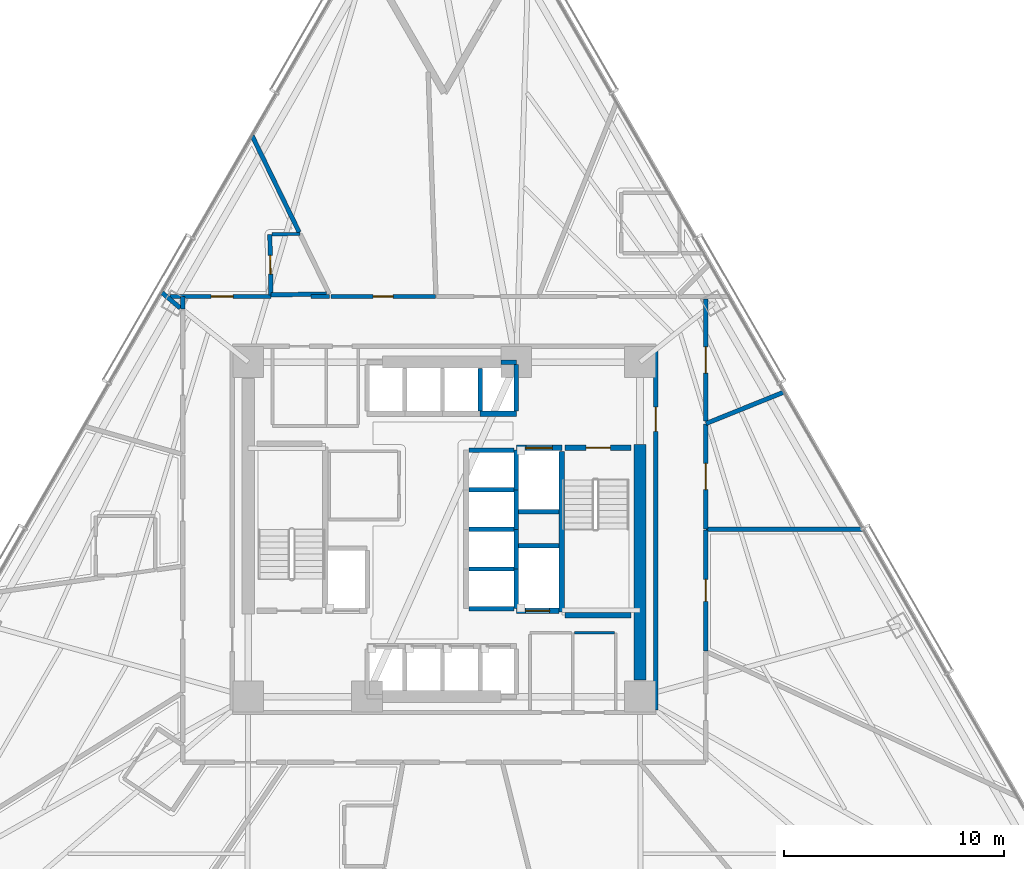
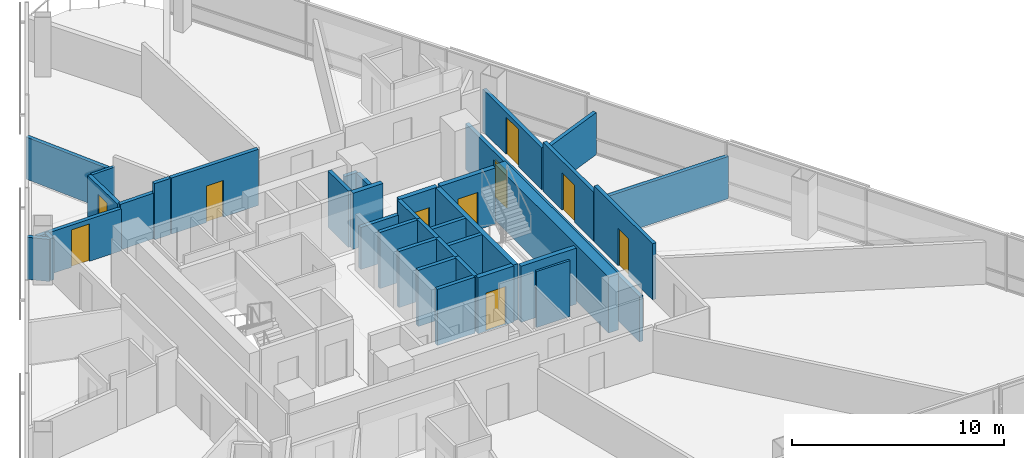
# One storey, part 9 of 16: 37 walls, 10 doors, 10 openings.
"""IFC4 building model written with IfcOpenShell, lengths in metres."""

from ifc_helpers import new_model, si_unit, direction, frame, frame_2d, origin, place, context, subcontext, project, spatial, rectangle, extrude, material, layer, layer_set, type_object, element, fill, save


model = new_model("IFC4")

# Units and contexts
model_context = context("Model", 3, precision=1e-05, world=origin(), true_north=direction((0.0, 1.0)))
body_context = subcontext(model_context, "Body", "Model", "MODEL_VIEW")
ifc_project = project(units=[si_unit("LENGTHUNIT", "METRE"), si_unit("AREAUNIT", "SQUARE_METRE"), si_unit("VOLUMEUNIT", "CUBIC_METRE"), si_unit("PLANEANGLEUNIT", "RADIAN"), si_unit("MASSUNIT", "GRAM", prefix="KILO")], contexts=[model_context])

# Site, building, storey
site_placement = place(None, origin())
site = spatial("IfcSite", under=ifc_project, at=site_placement, CompositionType="ELEMENT")
building_placement = place(site_placement, origin())
building = spatial("IfcBuilding", under=site, at=building_placement, Name="Tharavind Bronze Gate", CompositionType="ELEMENT")
storey_placement = place(building_placement, frame((0.0, 0.0, 42.050048828125)))
storey = spatial("IfcBuildingStorey", under=building, at=storey_placement, Name="L09", CompositionType="ELEMENT", Elevation=42.050048828125)

# Wall, opening, door
ifc_material_1 = material(Name="Aerated Concrete Block", Category="concrete")
ifc_layer_1 = layer(ifc_material_1, 0.199951171875)
ifc_layer_set_1 = layer_set([ifc_layer_1], Name="Aerated Concrete Block")
wall_type_1 = type_object("IfcWallType", Name="FIRE RATED PARTITION 200", PredefinedType="PARTITIONING", material=ifc_layer_set_1)
wall_1_placement = place(storey_placement, frame((9.6201171875, -8.199951171875, 0.0), z_axis=(0.0, 0.0, 1.0), x_axis=(0.0, 1.0, 0.0)))
wall_1 = element("IfcWall", 1, at=wall_1_placement, inside=storey, type_object=wall_type_1, Name="L09 east core corridor wall", PredefinedType="PARTITIONING", context=body_context, shape_type="SweptSolid", body=[
    extrude(rectangle(XDim=16.39990234375, YDim=0.199951171875, at=frame_2d((8.199951171875, 0.0))), origin(), (0.0, 0.0, 1.0), 2.619873046875),
])
opening_1_placement = place(wall_1_placement, frame((12.64990234375, 0.0, 0.0)))
opening_1 = element("IfcOpeningElement", 2, at=opening_1_placement, cuts=wall_1, Name="Opening ID01", PredefinedType="OPENING", context=body_context, shape_type="SweptSolid", body=[
    extrude(rectangle(XDim=1.10009765625, YDim=2.14990234375, at=frame_2d((0.550048828125, 1.074951171875))), frame((0.0, 0.11009765625, 0.0), z_axis=(0.0, -1.0, 0.0), x_axis=(1.0, 0.0, 0.0)), (0.0, 0.0, 1.0), 0.219951171875),
])
ifc_material_2 = material(Name="Fire-Rated Steel", Category="steel")
door_type_1 = type_object("IfcDoorType", Name="STAIR CORE FIRE DOOR 1100X2150", OperationType="SINGLE_SWING_LEFT", PredefinedType="DOOR", material=ifc_material_2)
door_1_placement = place(opening_1_placement, frame((1.10009765625, 0.0, 0.0), z_axis=(0.0, 0.0, 1.0), x_axis=(-1.0, 0.0, 0.0)))
door_1 = element("IfcDoor", 3, at=door_1_placement, inside=storey, type_object=door_type_1, Name="L09 north east stair lobby fire door", OperationType="SINGLE_SWING_LEFT", OverallHeight=2.14990234375, OverallWidth=1.10009765625, PredefinedType="DOOR", context=body_context, shape_type="SweptSolid", body=[
    extrude(rectangle(XDim=1.10009765625, YDim=2.14990234375, at=frame_2d((0.550048828125, 1.074951171875))), frame((0.0, 0.02490234375, 0.0), z_axis=(0.0, -1.0, 0.0), x_axis=(1.0, 0.0, 0.0)), (0.0, 0.0, 1.0), 0.050048828125),
])
fill(opening_1, door_1)

wall_2_placement = place(storey_placement, frame((-7.868408203125, 10.65234375, 0.0), z_axis=(0.0, 0.0, 1.0), x_axis=(-0.018022289986, 0.999837585343, 0.0)))
wall_2 = element("IfcWall", 4, at=wall_2_placement, inside=storey, type_object=wall_type_1, Name="L09 En-Suite Bathroom partition", PredefinedType="PARTITIONING", context=body_context, shape_type="SweptSolid", body=[
    extrude(rectangle(XDim=2.75, YDim=0.199951171875, at=frame_2d((1.375, 0.0))), origin(), (0.0, 0.0, 1.0), 2.619873046875),
])
opening_2_placement = place(wall_2_placement, frame((0.949951171875, 0.0, 0.0)))
opening_2 = element("IfcOpeningElement", 5, at=opening_2_placement, cuts=wall_2, Name="Opening ID06", PredefinedType="OPENING", context=body_context, shape_type="SweptSolid", body=[
    extrude(rectangle(XDim=0.85009765625, YDim=2.10009765625, at=frame_2d((0.425048828125, 1.050048828125))), frame((0.0, 0.11009765625, 0.0), z_axis=(0.0, -1.0, 0.0), x_axis=(1.0, 0.0, 0.0)), (0.0, 0.0, 1.0), 0.219951171875),
])
ifc_material_3 = material(Name="Moisture-Resistant Timber", Category="wood")
door_type_2 = type_object("IfcDoorType", Name="BATHROOM PRIVACY DOOR 850X2100", OperationType="SINGLE_SWING_RIGHT", PredefinedType="DOOR", material=ifc_material_3)
door_2_placement = place(opening_2_placement, origin())
door_2 = element("IfcDoor", 6, at=door_2_placement, inside=storey, type_object=door_type_2, Name="L09 En-Suite Bathroom door", OperationType="SINGLE_SWING_RIGHT", OverallHeight=2.10009765625, OverallWidth=0.85009765625, PredefinedType="DOOR", context=body_context, shape_type="SweptSolid", body=[
    extrude(rectangle(XDim=0.85009765625, YDim=2.10009765625, at=frame_2d((0.425048828125, 1.050048828125))), frame((0.0, 0.02490234375, 0.0), z_axis=(0.0, -1.0, 0.0), x_axis=(1.0, 0.0, 0.0)), (0.0, 0.0, 1.0), 0.050048828125),
])
fill(opening_2, door_2)

# Walls
wall_3_placement = place(storey_placement, frame((-5.33447265625, 10.697998046875, 0.0), z_axis=(0.0, 0.0, 1.0), x_axis=(-0.999837730658, -0.018014226383, 0.0)))
element("IfcWall", 7, at=wall_3_placement, inside=storey, type_object=wall_type_1, Name="L09 En-Suite Bathroom partition", PredefinedType="PARTITIONING", context=body_context, shape_type="SweptSolid", body=[
    extrude(rectangle(XDim=2.534423828125, YDim=0.199951171875, at=frame_2d((1.26708984375, 0.0))), origin(), (0.0, 0.0, 1.0), 2.619873046875),
])
wall_4_placement = place(storey_placement, frame((19.052490234375, 0.0, 0.0), z_axis=(0.0, 0.0, 1.0), x_axis=(-1.0, 0.0, 0.0)))
element("IfcWall", 8, at=wall_4_placement, inside=storey, type_object=wall_type_1, Name="L09 Hotel Guest Lounge partition", PredefinedType="PARTITIONING", context=body_context, shape_type="SweptSolid", body=[
    extrude(rectangle(XDim=7.1474609375, YDim=0.199951171875, at=frame_2d((3.57373046875, 0.0))), origin(), (0.0, 0.0, 1.0), 2.419921875),
])

# Wall, opening, door
wall_5_placement = place(storey_placement, frame((11.8798828125, 0.02490234375, 0.0), z_axis=(0.0, 0.0, 1.0), x_axis=(0.0, 1.0, 0.0)))
wall_5 = element("IfcWall", 9, at=wall_5_placement, inside=storey, type_object=wall_type_1, Name="L09 Hotel Guest Lounge partition", PredefinedType="PARTITIONING", context=body_context, shape_type="SweptSolid", body=[
    extrude(rectangle(XDim=4.758056640625, YDim=0.199951171875, at=frame_2d((2.37890625, 0.0))), origin(), (0.0, 0.0, 1.0), 2.820068359375),
])
opening_3_placement = place(wall_5_placement, frame((1.779052734375, 0.0, 0.0)))
opening_3 = element("IfcOpeningElement", 10, at=opening_3_placement, cuts=wall_5, Name="Opening ID05", PredefinedType="OPENING", context=body_context, shape_type="SweptSolid", body=[
    extrude(rectangle(XDim=1.199951171875, YDim=2.14990234375, at=frame_2d((0.60009765625, 1.074951171875))), frame((0.0, 0.11009765625, 0.0), z_axis=(0.0, -1.0, 0.0), x_axis=(1.0, 0.0, 0.0)), (0.0, 0.0, 1.0), 0.219951171875),
])
ifc_material_4 = material(Name="Acoustic Laminated Glass", Category="glass")
door_type_3 = type_object("IfcDoorType", Name="MEETING ROOM GLAZED DOOR 1200X2150", OperationType="SINGLE_SWING_LEFT", PredefinedType="DOOR", material=ifc_material_4)
door_3_placement = place(opening_3_placement, origin())
door_3 = element("IfcDoor", 11, at=door_3_placement, inside=storey, type_object=door_type_3, Name="L09 Hotel Guest Lounge door", OperationType="SINGLE_SWING_LEFT", OverallHeight=2.14990234375, OverallWidth=1.199951171875, PredefinedType="DOOR", context=body_context, shape_type="SweptSolid", body=[
    extrude(rectangle(XDim=1.199951171875, YDim=2.14990234375, at=frame_2d((0.60009765625, 1.074951171875))), frame((0.0, 0.02490234375, 0.0), z_axis=(0.0, -1.0, 0.0), x_axis=(1.0, 0.0, 0.0)), (0.0, 0.0, 1.0), 0.050048828125),
])
fill(opening_3, door_3)

# Wall
wall_6_placement = place(storey_placement, frame((11.8955078125, 4.80615234375, 0.0), z_axis=(0.0, 0.0, 1.0), x_axis=(0.927185357501, 0.374602873501, 0.0)))
element("IfcWall", 12, at=wall_6_placement, inside=storey, type_object=wall_type_1, Name="L09 Hotel Guest Lounge partition", PredefinedType="PARTITIONING", context=body_context, shape_type="SweptSolid", body=[
    extrude(rectangle(XDim=3.810791015625, YDim=0.199951171875, at=frame_2d((1.9052734375, 0.0))), origin(), (0.0, 0.0, 1.0), 2.419921875),
])

# Wall, opening, door
wall_7_placement = place(storey_placement, frame((11.8798828125, 4.9130859375, 0.0), z_axis=(0.0, 0.0, 1.0), x_axis=(0.0, 1.0, 0.0)))
wall_7 = element("IfcWall", 13, at=wall_7_placement, inside=storey, type_object=wall_type_1, Name="L09 Hotel Guest Lounge partition", PredefinedType="PARTITIONING", context=body_context, shape_type="SweptSolid", body=[
    extrude(rectangle(XDim=5.56201171875, YDim=0.199951171875, at=frame_2d((2.781005859375, 0.0))), origin(), (0.0, 0.0, 1.0), 2.419921875),
])
opening_4_placement = place(wall_7_placement, frame((2.180908203125, 0.0, 0.0)))
opening_4 = element("IfcOpeningElement", 14, at=opening_4_placement, cuts=wall_7, Name="Opening ID05", PredefinedType="OPENING", context=body_context, shape_type="SweptSolid", body=[
    extrude(rectangle(XDim=1.199951171875, YDim=2.14990234375, at=frame_2d((0.60009765625, 1.074951171875))), frame((0.0, 0.11009765625, 0.0), z_axis=(0.0, -1.0, 0.0), x_axis=(1.0, 0.0, 0.0)), (0.0, 0.0, 1.0), 0.219951171875),
])
door_4_placement = place(opening_4_placement, origin())
door_4 = element("IfcDoor", 15, at=door_4_placement, inside=storey, type_object=door_type_3, Name="L09 Hotel Guest Lounge door", OperationType="SINGLE_SWING_LEFT", OverallHeight=2.14990234375, OverallWidth=1.199951171875, PredefinedType="DOOR", context=body_context, shape_type="SweptSolid", body=[
    extrude(rectangle(XDim=1.199951171875, YDim=2.14990234375, at=frame_2d((0.60009765625, 1.074951171875))), frame((0.0, 0.02490234375, 0.0), z_axis=(0.0, -1.0, 0.0), x_axis=(1.0, 0.0, 0.0)), (0.0, 0.0, 1.0), 0.050048828125),
])
fill(opening_4, door_4)

wall_8_placement = place(storey_placement, frame((-0.395263671875, 10.580078125, 0.0), z_axis=(0.0, 0.0, 1.0), x_axis=(-1.0, 0.0, 0.0)))
wall_8 = element("IfcWall", 16, at=wall_8_placement, inside=storey, type_object=wall_type_1, Name="L09 Housekeeping & Linen Room partition", PredefinedType="PARTITIONING", context=body_context, shape_type="SweptSolid", body=[
    extrude(rectangle(XDim=4.749267578125, YDim=0.199951171875, at=frame_2d((2.37451171875, 0.0))), origin(), (0.0, 0.0, 1.0), 3.224853515625),
])
opening_5_placement = place(wall_8_placement, frame((1.925048828125, 0.0, 0.0)))
opening_5 = element("IfcOpeningElement", 17, at=opening_5_placement, cuts=wall_8, Name="Opening ID07", PredefinedType="OPENING", context=body_context, shape_type="SweptSolid", body=[
    extrude(rectangle(XDim=0.89990234375, YDim=2.10009765625, at=frame_2d((0.449951171875, 1.050048828125))), frame((0.0, 0.11009765625, 0.0), z_axis=(0.0, -1.0, 0.0), x_axis=(1.0, 0.0, 0.0)), (0.0, 0.0, 1.0), 0.219951171875),
])
ifc_material_5 = material(Name="Galvanised Fire Steel", Category="steel")
door_type_4 = type_object("IfcDoorType", Name="PLANT AND RISER FIRE DOOR 900X2100", OperationType="SINGLE_SWING_LEFT", PredefinedType="DOOR", material=ifc_material_5)
door_5_placement = place(opening_5_placement, origin())
door_5 = element("IfcDoor", 18, at=door_5_placement, inside=storey, type_object=door_type_4, Name="L09 Housekeeping & Linen Room door", OperationType="SINGLE_SWING_LEFT", OverallHeight=2.10009765625, OverallWidth=0.89990234375, PredefinedType="DOOR", context=body_context, shape_type="SweptSolid", body=[
    extrude(rectangle(XDim=0.89990234375, YDim=2.10009765625, at=frame_2d((0.449951171875, 1.050048828125))), frame((0.0, 0.02490234375, 0.0), z_axis=(0.0, -1.0, 0.0), x_axis=(1.0, 0.0, 0.0)), (0.0, 0.0, 1.0), 0.050048828125),
])
fill(opening_5, door_5)

# Walls
wall_9_placement = place(storey_placement, frame((-6.58740234375, 13.505859375, 0.0), z_axis=(0.0, 0.0, 1.0), x_axis=(-0.438355377526, 0.898801737312, 0.0)))
element("IfcWall", 19, at=wall_9_placement, inside=storey, type_object=wall_type_1, Name="L09 Housekeeping & Linen Room partition", PredefinedType="PARTITIONING", context=body_context, shape_type="SweptSolid", body=[
    extrude(rectangle(XDim=4.86279296875, YDim=0.199951171875, at=frame_2d((2.431396484375, 0.0))), origin(), (0.0, 0.0, 1.0), 2.419921875),
])
wall_10_placement = place(storey_placement, frame((-11.8798828125, 10.579345703125, 0.0), z_axis=(0.0, 0.0, 1.0), x_axis=(0.0, -1.0, 0.0)))
element("IfcWall", 20, at=wall_10_placement, inside=storey, type_object=wall_type_1, Name="L09 Corner Hotel Suite partition", PredefinedType="PARTITIONING", context=body_context, shape_type="SweptSolid", body=[
    extrude(rectangle(XDim=0.55712890625, YDim=0.199951171875, at=frame_2d((0.278564453125, 0.0))), origin(), (0.0, 0.0, 1.0), 2.419921875),
])
wall_11_placement = place(storey_placement, frame((-11.985107421875, 10.056640625, 0.0), z_axis=(0.0, 0.0, 1.0), x_axis=(-0.766009766159, 0.642828933815, 0.0)))
element("IfcWall", 21, at=wall_11_placement, inside=storey, type_object=wall_type_1, Name="L09 Corner Hotel Suite partition", PredefinedType="PARTITIONING", context=body_context, shape_type="SweptSolid", body=[
    extrude(rectangle(XDim=1.088134765625, YDim=0.199951171875, at=frame_2d((0.5439453125, 0.0))), origin(), (0.0, 0.0, 1.0), 2.419921875),
])
wall_12_placement = place(storey_placement, frame((-5.2001953125, 10.580078125, 0.0), z_axis=(0.0, 0.0, 1.0), x_axis=(-1.0, 0.0, 0.0)))
element("IfcWall", 22, at=wall_12_placement, inside=storey, type_object=wall_type_1, Name="L09 Corner Hotel Suite partition", PredefinedType="PARTITIONING", context=body_context, shape_type="SweptSolid", body=[
    extrude(rectangle(XDim=0.85009765625, YDim=0.199951171875, at=frame_2d((0.425048828125, 0.0))), origin(), (0.0, 0.0, 1.0), 3.224853515625),
])

# Wall, opening, door
wall_13_placement = place(storey_placement, frame((-7.866943359375, 10.580078125, 0.0), z_axis=(0.0, 0.0, 1.0), x_axis=(-1.0, 0.0, 0.0)))
wall_13 = element("IfcWall", 23, at=wall_13_placement, inside=storey, type_object=wall_type_1, Name="L09 Corner Hotel Suite partition", PredefinedType="PARTITIONING", context=body_context, shape_type="SweptSolid", body=[
    extrude(rectangle(XDim=4.57861328125, YDim=0.199951171875, at=frame_2d((2.289306640625, 0.0))), origin(), (0.0, 0.0, 1.0), 2.419921875),
])
opening_6_placement = place(wall_13_placement, frame((1.717041015625, 0.0, 0.0)))
opening_6 = element("IfcOpeningElement", 24, at=opening_6_placement, cuts=wall_13, Name="Opening ID03", PredefinedType="OPENING", context=body_context, shape_type="SweptSolid", body=[
    extrude(rectangle(XDim=1.0, YDim=2.14990234375, at=frame_2d((0.5, 1.074951171875))), frame((0.0, 0.11009765625, 0.0), z_axis=(0.0, -1.0, 0.0), x_axis=(1.0, 0.0, 0.0)), (0.0, 0.0, 1.0), 0.219951171875),
])
ifc_material_6 = material(Name="Solid Timber Veneer", Category="wood")
door_type_5 = type_object("IfcDoorType", Name="HOTEL SUITE ENTRANCE DOOR 1000X2150", OperationType="SINGLE_SWING_LEFT", PredefinedType="DOOR", material=ifc_material_6)
door_6_placement = place(opening_6_placement, origin())
door_6 = element("IfcDoor", 25, at=door_6_placement, inside=storey, type_object=door_type_5, Name="L09 Corner Hotel Suite door", OperationType="SINGLE_SWING_LEFT", OverallHeight=2.14990234375, OverallWidth=1.0, PredefinedType="DOOR", context=body_context, shape_type="SweptSolid", body=[
    extrude(rectangle(XDim=1.0, YDim=2.14990234375, at=frame_2d((0.5, 1.074951171875))), frame((0.0, 0.02490234375, 0.0), z_axis=(0.0, -1.0, 0.0), x_axis=(1.0, 0.0, 0.0)), (0.0, 0.0, 1.0), 0.050048828125),
])
fill(opening_6, door_6)

wall_14_placement = place(storey_placement, frame((11.8798828125, -5.523681640625, 0.0), z_axis=(0.0, 0.0, 1.0), x_axis=(0.0, 1.0, 0.0)))
wall_14 = element("IfcWall", 26, at=wall_14_placement, inside=storey, type_object=wall_type_1, Name="L09 Hotel Business Study partition", PredefinedType="PARTITIONING", context=body_context, shape_type="SweptSolid", body=[
    extrude(rectangle(XDim=5.498779296875, YDim=0.199951171875, at=frame_2d((2.74951171875, 0.0))), origin(), (0.0, 0.0, 1.0), 3.224853515625),
])
opening_7_placement = place(wall_14_placement, frame((2.2490234375, 0.0, 0.0)))
opening_7 = element("IfcOpeningElement", 27, at=opening_7_placement, cuts=wall_14, Name="Opening ID04", PredefinedType="OPENING", context=body_context, shape_type="SweptSolid", body=[
    extrude(rectangle(XDim=1.0, YDim=2.14990234375, at=frame_2d((0.5, 1.074951171875))), frame((0.0, 0.11009765625, 0.0), z_axis=(0.0, -1.0, 0.0), x_axis=(1.0, 0.0, 0.0)), (0.0, 0.0, 1.0), 0.219951171875),
])
ifc_material_7 = material(Name="Bronze Framed Acoustic Timber", Category="wood")
door_type_6 = type_object("IfcDoorType", Name="OFFICE TENANCY DOOR 1000X2150", OperationType="SINGLE_SWING_RIGHT", PredefinedType="DOOR", material=ifc_material_7)
door_7_placement = place(opening_7_placement, origin())
door_7 = element("IfcDoor", 28, at=door_7_placement, inside=storey, type_object=door_type_6, Name="L09 Hotel Business Study door", OperationType="SINGLE_SWING_RIGHT", OverallHeight=2.14990234375, OverallWidth=1.0, PredefinedType="DOOR", context=body_context, shape_type="SweptSolid", body=[
    extrude(rectangle(XDim=1.0, YDim=2.14990234375, at=frame_2d((0.5, 1.074951171875))), frame((0.0, 0.02490234375, 0.0), z_axis=(0.0, -1.0, 0.0), x_axis=(1.0, 0.0, 0.0)), (0.0, 0.0, 1.0), 0.050048828125),
])
fill(opening_7, door_7)

# Walls
ifc_material_8 = material(Name="Metal Stud Gypsum Partition", Category="gypsum")
ifc_layer_2 = layer(ifc_material_8, 0.1201171875)
ifc_layer_set_2 = layer_set([ifc_layer_2], Name="Metal Stud Gypsum Partition")
wall_type_2 = type_object("IfcWallType", Name="INTERIOR PARTITION WALL 120", PredefinedType="PARTITIONING", material=ifc_layer_set_2)
wall_15_placement = place(storey_placement, frame((7.735107421875, -4.699951171875, 0.0), z_axis=(0.0, 0.0, 1.0), x_axis=(-1.0, 0.0, 0.0)))
element("IfcWall", 29, at=wall_15_placement, inside=storey, type_object=wall_type_2, Name="L09 Housekeeping Store partition 3", PredefinedType="PARTITIONING", context=body_context, shape_type="SweptSolid", body=[
    extrude(rectangle(XDim=1.820068359375, YDim=0.1201171875, at=frame_2d((0.91015625, 0.0))), origin(), (0.0, 0.0, 1.0), 3.224853515625),
])
ifc_material_9 = material(Name="Twin Stud Acoustic Gypsum", Category="gypsum")
ifc_layer_3 = layer(ifc_material_9, 0.14990234375)
ifc_layer_set_3 = layer_set([ifc_layer_3], Name="Twin Stud Acoustic Gypsum")
wall_type_3 = type_object("IfcWallType", Name="INTERIOR PARTITION WALL 150", PredefinedType="PARTITIONING", material=ifc_layer_set_3)
wall_16_placement = place(storey_placement, frame((-7.81298828125, 13.40380859375, 0.0), z_axis=(0.0, 0.0, 1.0), x_axis=(0.999838809641, 0.017954240065, 0.0)))
element("IfcWall", 30, at=wall_16_placement, inside=storey, type_object=wall_type_3, Name="L09 En-Suite Bathroom partition", PredefinedType="PARTITIONING", context=body_context, shape_type="SweptSolid", body=[
    extrude(rectangle(XDim=1.2646484375, YDim=0.14990234375, at=frame_2d((0.63232421875, 0.0))), origin(), (0.0, 0.0, 1.0), 2.619873046875),
])
ifc_material_10 = material(Name="Concrete C50/60", Category="concrete")
ifc_layer_4 = layer(ifc_material_10, 0.25)
ifc_layer_set_4 = layer_set([ifc_layer_4], Name="Concrete C50/60")
wall_type_4 = type_object("IfcWallType", Name="RC CORE SHEAR WALL 250", PredefinedType="SHEAR", material=ifc_layer_set_4)
wall_17_placement = place(storey_placement, frame((5.35009765625, -3.75, 0.0), z_axis=(0.0, 0.0, 1.0), x_axis=(0.0, 1.0, 0.0)))
element("IfcWall", 31, at=wall_17_placement, inside=storey, type_object=wall_type_4, Name="L09 ST2 shaft west wall", PredefinedType="SHEAR", context=body_context, shape_type="SweptSolid", body=[
    extrude(rectangle(XDim=7.300048828125, YDim=0.25, at=frame_2d((3.64990234375, 0.0))), origin(), (0.0, 0.0, 1.0), 3.224853515625),
])

# Wall, opening, door
wall_18_placement = place(storey_placement, frame((5.5, 3.699951171875, 0.0), z_axis=(0.0, 0.0, 1.0), x_axis=(1.0, 0.0, 0.0)))
wall_18 = element("IfcWall", 32, at=wall_18_placement, inside=storey, type_object=wall_type_4, Name="L09 ST2 shaft north wall", PredefinedType="SHEAR", context=body_context, shape_type="SweptSolid", body=[
    extrude(rectangle(XDim=3.0, YDim=0.25, at=frame_2d((1.5, 0.0))), origin(), (0.0, 0.0, 1.0), 3.224853515625),
])
opening_8_placement = place(wall_18_placement, frame((0.949951171875, 0.0, 0.0)))
opening_8 = element("IfcOpeningElement", 33, at=opening_8_placement, cuts=wall_18, Name="Opening ID01", PredefinedType="OPENING", context=body_context, shape_type="SweptSolid", body=[
    extrude(rectangle(XDim=1.10009765625, YDim=2.14990234375, at=frame_2d((0.550048828125, 1.074951171875))), frame((0.0, 0.135, 0.0), z_axis=(0.0, -1.0, 0.0), x_axis=(1.0, 0.0, 0.0)), (0.0, 0.0, 1.0), 0.27),
])
door_8_placement = place(opening_8_placement, frame((1.10009765625, 0.0, 0.0), z_axis=(0.0, 0.0, 1.0), x_axis=(-1.0, 0.0, 0.0)))
door_8 = element("IfcDoor", 34, at=door_8_placement, inside=storey, type_object=door_type_1, Name="L09 exit stair ST2 fire door", OperationType="SINGLE_SWING_LEFT", OverallHeight=2.14990234375, OverallWidth=1.10009765625, PredefinedType="DOOR", context=body_context, shape_type="SweptSolid", body=[
    extrude(rectangle(XDim=1.10009765625, YDim=2.14990234375, at=frame_2d((0.550048828125, 1.074951171875))), frame((0.0, 0.02490234375, 0.0), z_axis=(0.0, -1.0, 0.0), x_axis=(1.0, 0.0, 0.0)), (0.0, 0.0, 1.0), 0.050048828125),
])
fill(opening_8, door_8)

# Walls
wall_19_placement = place(storey_placement, frame((5.5, -3.89990234375, 0.0), z_axis=(0.0, 0.0, 1.0), x_axis=(1.0, 0.0, 0.0)))
element("IfcWall", 35, at=wall_19_placement, inside=storey, type_object=wall_type_4, Name="L09 ST2 shaft south wall", PredefinedType="SHEAR", context=body_context, shape_type="SweptSolid", body=[
    extrude(rectangle(XDim=3.0, YDim=0.25, at=frame_2d((1.5, 0.0))), origin(), (0.0, 0.0, 1.0), 3.224853515625),
])
wall_20_placement = place(storey_placement, frame((1.637451171875, 5.25, 0.0), z_axis=(0.0, 0.0, 1.0), x_axis=(1.0, 0.0, 0.0)))
element("IfcWall", 36, at=wall_20_placement, inside=storey, type_object=wall_type_4, Name="L09 lift PL8 shaft front wall", PredefinedType="SHEAR", context=body_context, shape_type="SweptSolid", body=[
    extrude(rectangle(XDim=1.642578125, YDim=0.25, at=frame_2d((0.8212890625, 0.0))), origin(), (0.0, 0.0, 1.0), 3.224853515625),
])

# Wall, opening, door
wall_21_placement = place(storey_placement, frame((3.280029296875, 3.699951171875, 0.0), z_axis=(0.0, 0.0, 1.0), x_axis=(1.0, 0.0, 0.0)))
wall_21 = element("IfcWall", 37, at=wall_21_placement, inside=storey, type_object=wall_type_4, Name="L09 lift FFL2 shaft front wall", PredefinedType="SHEAR", context=body_context, shape_type="SweptSolid", body=[
    extrude(rectangle(XDim=2.070068359375, YDim=0.25, at=frame_2d((1.03515625, 0.0))), origin(), (0.0, 0.0, 1.0), 3.224853515625),
])
opening_9_placement = place(wall_21_placement, frame((0.43505859375, 0.0, 0.0)))
opening_9 = element("IfcOpeningElement", 38, at=opening_9_placement, cuts=wall_21, Name="Opening LD02", PredefinedType="OPENING", context=body_context, shape_type="SweptSolid", body=[
    extrude(rectangle(XDim=1.199951171875, YDim=2.199951171875, at=frame_2d((0.60009765625, 1.10009765625))), frame((0.0, 0.135, 0.0), z_axis=(0.0, -1.0, 0.0), x_axis=(1.0, 0.0, 0.0)), (0.0, 0.0, 1.0), 0.27),
])
ifc_material_11 = material(Name="Brushed Stainless Steel", Category="steel")
door_type_7 = type_object("IfcDoorType", Name="FIREFIGHTING LIFT LANDING DOOR 1200X2200", OperationType="SLIDING_TO_RIGHT", PredefinedType="DOOR", material=ifc_material_11)
door_9_placement = place(opening_9_placement, origin())
door_9 = element("IfcDoor", 39, at=door_9_placement, inside=storey, type_object=door_type_7, Name="L09 lift FFL2 sliding landing door", OperationType="SLIDING_TO_RIGHT", OverallHeight=2.199951171875, OverallWidth=1.199951171875, PredefinedType="DOOR", context=body_context, shape_type="SweptSolid", body=[
    extrude(rectangle(XDim=1.199951171875, YDim=2.199951171875, at=frame_2d((0.60009765625, 1.10009765625))), frame((0.0, 0.02490234375, 0.0), z_axis=(0.0, -1.0, 0.0), x_axis=(1.0, 0.0, 0.0)), (0.0, 0.0, 1.0), 0.050048828125),
])
fill(opening_9, door_9)

wall_22_placement = place(storey_placement, frame((3.280029296875, -3.699951171875, 0.0), z_axis=(0.0, 0.0, 1.0), x_axis=(1.0, 0.0, 0.0)))
wall_22 = element("IfcWall", 40, at=wall_22_placement, inside=storey, type_object=wall_type_4, Name="L09 lift SVL1 shaft front wall", PredefinedType="SHEAR", context=body_context, shape_type="SweptSolid", body=[
    extrude(rectangle(XDim=1.93994140625, YDim=0.25, at=frame_2d((0.969970703125, 0.0))), origin(), (0.0, 0.0, 1.0), 3.224853515625),
])
opening_10_placement = place(wall_22_placement, frame((0.419921875, 0.0, 0.0)))
opening_10 = element("IfcOpeningElement", 41, at=opening_10_placement, cuts=wall_22, Name="Opening LD01", PredefinedType="OPENING", context=body_context, shape_type="SweptSolid", body=[
    extrude(rectangle(XDim=1.10009765625, YDim=2.199951171875, at=frame_2d((0.550048828125, 1.10009765625))), frame((0.0, 0.135, 0.0), z_axis=(0.0, -1.0, 0.0), x_axis=(1.0, 0.0, 0.0)), (0.0, 0.0, 1.0), 0.27),
])
ifc_material_12 = material(Name="Brushed Bronze Stainless Steel", Category="steel")
door_type_8 = type_object("IfcDoorType", Name="LIFT LANDING SLIDING DOOR 1100X2200", OperationType="SLIDING_TO_LEFT", PredefinedType="DOOR", material=ifc_material_12)
door_10_placement = place(opening_10_placement, origin())
door_10 = element("IfcDoor", 42, at=door_10_placement, inside=storey, type_object=door_type_8, Name="L09 lift SVL1 sliding landing door", OperationType="SLIDING_TO_LEFT", OverallHeight=2.199951171875, OverallWidth=1.10009765625, PredefinedType="DOOR", context=body_context, shape_type="SweptSolid", body=[
    extrude(rectangle(XDim=1.10009765625, YDim=2.199951171875, at=frame_2d((0.550048828125, 1.10009765625))), frame((0.0, 0.02490234375, 0.0), z_axis=(0.0, -1.0, 0.0), x_axis=(1.0, 0.0, 0.0)), (0.0, 0.0, 1.0), 0.050048828125),
])
fill(opening_10, door_10)

# Walls
ifc_material_13 = material(Name="Concrete C60/75", Category="concrete")
ifc_layer_5 = layer(ifc_material_13, 0.550048828125)
ifc_layer_set_5 = layer_set([ifc_layer_5], Name="Concrete C60/75")
wall_type_5 = type_object("IfcWallType", Name="RC CORE SHEAR WALL 550", PredefinedType="SHEAR", material=ifc_layer_set_5)
wall_23_placement = place(storey_placement, frame((8.89990234375, -6.85009765625, 0.0), z_axis=(0.0, 0.0, 1.0), x_axis=(0.0, 1.0, 0.0)))
element("IfcWall", 43, at=wall_23_placement, inside=storey, type_object=wall_type_5, Name="L09 east core shear wall", PredefinedType="SHEAR", context=body_context, shape_type="SweptSolid", body=[
    extrude(rectangle(XDim=10.7001953125, YDim=0.550048828125, at=frame_2d((5.35009765625, 0.0))), origin(), (0.0, 0.0, 1.0), 3.224853515625),
])
ifc_material_14 = material(Name="Concrete C40/50", Category="concrete")
ifc_layer_6 = layer(ifc_material_14, 0.199951171875)
ifc_layer_set_6 = layer_set([ifc_layer_6], Name="Concrete C40/50")
wall_type_6 = type_object("IfcWallType", Name="SHAFT ENCLOSURE WALL 200", PredefinedType="PARTITIONING", material=ifc_layer_set_6)
wall_24_placement = place(storey_placement, frame((1.637451171875, 5.3798828125, 0.0), z_axis=(0.0, 0.0, 1.0), x_axis=(0.0, 1.0, 0.0)))
element("IfcWall", 44, at=wall_24_placement, inside=storey, type_object=wall_type_6, Name="L09 lift PL7 shaft E enclosure wall", PredefinedType="PARTITIONING", context=body_context, shape_type="SweptSolid", body=[
    extrude(rectangle(XDim=1.940185546875, YDim=0.199951171875, at=frame_2d((0.97021484375, 0.0))), origin(), (0.0, 0.0, 1.0), 3.224853515625),
])
wall_25_placement = place(storey_placement, frame((2.580078125, 7.60009765625, 0.0), z_axis=(0.0, 0.0, 1.0), x_axis=(1.0, 0.0, 0.0)))
element("IfcWall", 45, at=wall_25_placement, inside=storey, type_object=wall_type_6, Name="L09 lift PL8 shaft N enclosure wall", PredefinedType="PARTITIONING", context=body_context, shape_type="SweptSolid", body=[
    extrude(rectangle(XDim=0.699951171875, YDim=0.199951171875, at=frame_2d((0.35009765625, 0.0))), origin(), (0.0, 0.0, 1.0), 2.419921875),
])
wall_26_placement = place(storey_placement, frame((3.280029296875, 5.3798828125, 0.0), z_axis=(0.0, 0.0, 1.0), x_axis=(0.0, 1.0, 0.0)))
element("IfcWall", 46, at=wall_26_placement, inside=storey, type_object=wall_type_6, Name="L09 lift PL8 shaft E enclosure wall", PredefinedType="PARTITIONING", context=body_context, shape_type="SweptSolid", body=[
    extrude(rectangle(XDim=2.115234375, YDim=0.199951171875, at=frame_2d((1.0576171875, 0.0))), origin(), (0.0, 0.0, 1.0), 2.419921875),
])
wall_27_placement = place(storey_placement, frame((3.280029296875, -3.60009765625, 0.0), z_axis=(0.0, 0.0, 1.0), x_axis=(0.0, 1.0, 0.0)))
element("IfcWall", 47, at=wall_27_placement, inside=storey, type_object=wall_type_6, Name="L09 lift PL9 shaft E enclosure wall", PredefinedType="PARTITIONING", context=body_context, shape_type="SweptSolid", body=[
    extrude(rectangle(XDim=1.800048828125, YDim=0.199951171875, at=frame_2d((0.89990234375, 0.0))), origin(), (0.0, 0.0, 1.0), 3.224853515625),
])
for number, where, z_axis, x_axis, name in (
    (48, (1.1298828125, -3.60009765625, 0.0), (0.0, 0.0, 1.0), (1.0, 0.0, 0.0), "L09 lift PL9 shaft S enclosure wall"),
    (49, (1.1298828125, -1.800048828125, 0.0), (0.0, 0.0, 1.0), (1.0, 0.0, 0.0), "L09 lift PL9 shaft N enclosure wall"),
):
    element("IfcWall", number, at=place(storey_placement, frame(where, z_axis=z_axis, x_axis=x_axis)), inside=storey, type_object=wall_type_6, Name=name, PredefinedType="PARTITIONING", context=body_context, shape_type="SweptSolid", body=[
        extrude(rectangle(XDim=2.045166015625, YDim=0.199951171875, at=frame_2d((1.0224609375, 0.0))), origin(), (0.0, 0.0, 1.0), 3.224853515625),
    ])
wall_28_placement = place(storey_placement, frame((3.280029296875, -1.800048828125, 0.0), z_axis=(0.0, 0.0, 1.0), x_axis=(0.0, 1.0, 0.0)))
element("IfcWall", 50, at=wall_28_placement, inside=storey, type_object=wall_type_6, Name="L09 lift PL10 shaft E enclosure wall", PredefinedType="PARTITIONING", context=body_context, shape_type="SweptSolid", body=[
    extrude(rectangle(XDim=1.800048828125, YDim=0.199951171875, at=frame_2d((0.89990234375, 0.0))), origin(), (0.0, 0.0, 1.0), 3.224853515625),
])
wall_29_placement = place(storey_placement, frame((1.1298828125, 0.0, 0.0), z_axis=(0.0, 0.0, 1.0), x_axis=(1.0, 0.0, 0.0)))
element("IfcWall", 51, at=wall_29_placement, inside=storey, type_object=wall_type_6, Name="L09 lift PL10 shaft N enclosure wall", PredefinedType="PARTITIONING", context=body_context, shape_type="SweptSolid", body=[
    extrude(rectangle(XDim=2.045166015625, YDim=0.199951171875, at=frame_2d((1.0224609375, 0.0))), origin(), (0.0, 0.0, 1.0), 3.224853515625),
])
wall_30_placement = place(storey_placement, frame((3.280029296875, 0.0, 0.0), z_axis=(0.0, 0.0, 1.0), x_axis=(0.0, 1.0, 0.0)))
element("IfcWall", 52, at=wall_30_placement, inside=storey, type_object=wall_type_6, Name="L09 lift PL11 shaft E enclosure wall", PredefinedType="PARTITIONING", context=body_context, shape_type="SweptSolid", body=[
    extrude(rectangle(XDim=1.800048828125, YDim=0.199951171875, at=frame_2d((0.89990234375, 0.0))), origin(), (0.0, 0.0, 1.0), 3.224853515625),
])
wall_31_placement = place(storey_placement, frame((1.1298828125, 1.800048828125, 0.0), z_axis=(0.0, 0.0, 1.0), x_axis=(1.0, 0.0, 0.0)))
element("IfcWall", 53, at=wall_31_placement, inside=storey, type_object=wall_type_6, Name="L09 lift PL11 shaft N enclosure wall", PredefinedType="PARTITIONING", context=body_context, shape_type="SweptSolid", body=[
    extrude(rectangle(XDim=2.045166015625, YDim=0.199951171875, at=frame_2d((1.0224609375, 0.0))), origin(), (0.0, 0.0, 1.0), 3.224853515625),
])
wall_32_placement = place(storey_placement, frame((3.280029296875, 1.800048828125, 0.0), z_axis=(0.0, 0.0, 1.0), x_axis=(0.0, 1.0, 0.0)))
element("IfcWall", 54, at=wall_32_placement, inside=storey, type_object=wall_type_6, Name="L09 lift PL12 shaft E enclosure wall", PredefinedType="PARTITIONING", context=body_context, shape_type="SweptSolid", body=[
    extrude(rectangle(XDim=1.800048828125, YDim=0.199951171875, at=frame_2d((0.89990234375, 0.0))), origin(), (0.0, 0.0, 1.0), 3.224853515625),
])
wall_33_placement = place(storey_placement, frame((1.1298828125, 3.60009765625, 0.0), z_axis=(0.0, 0.0, 1.0), x_axis=(1.0, 0.0, 0.0)))
element("IfcWall", 55, at=wall_33_placement, inside=storey, type_object=wall_type_6, Name="L09 lift PL12 shaft N enclosure wall", PredefinedType="PARTITIONING", context=body_context, shape_type="SweptSolid", body=[
    extrude(rectangle(XDim=2.045166015625, YDim=0.199951171875, at=frame_2d((1.0224609375, 0.0))), origin(), (0.0, 0.0, 1.0), 2.419921875),
])
for number, where, z_axis, x_axis, name in (
    (56, (3.385009765625, 0.800048828125, 0.0), (0.0, 0.0, 1.0), (1.0, 0.0, 0.0), "L09 lift FFL2 shaft S enclosure wall"),
    (57, (3.385009765625, -0.75, 0.0), (0.0, 0.0, 1.0), (1.0, 0.0, 0.0), "L09 lift SVL1 shaft N enclosure wall"),
):
    element("IfcWall", number, at=place(storey_placement, frame(where, z_axis=z_axis, x_axis=x_axis)), inside=storey, type_object=wall_type_6, Name=name, PredefinedType="PARTITIONING", context=body_context, shape_type="SweptSolid", body=[
        extrude(rectangle(XDim=1.8349609375, YDim=0.199951171875, at=frame_2d((0.91748046875, 0.0))), origin(), (0.0, 0.0, 1.0), 3.224853515625),
    ])

save(model, "model.ifc")
